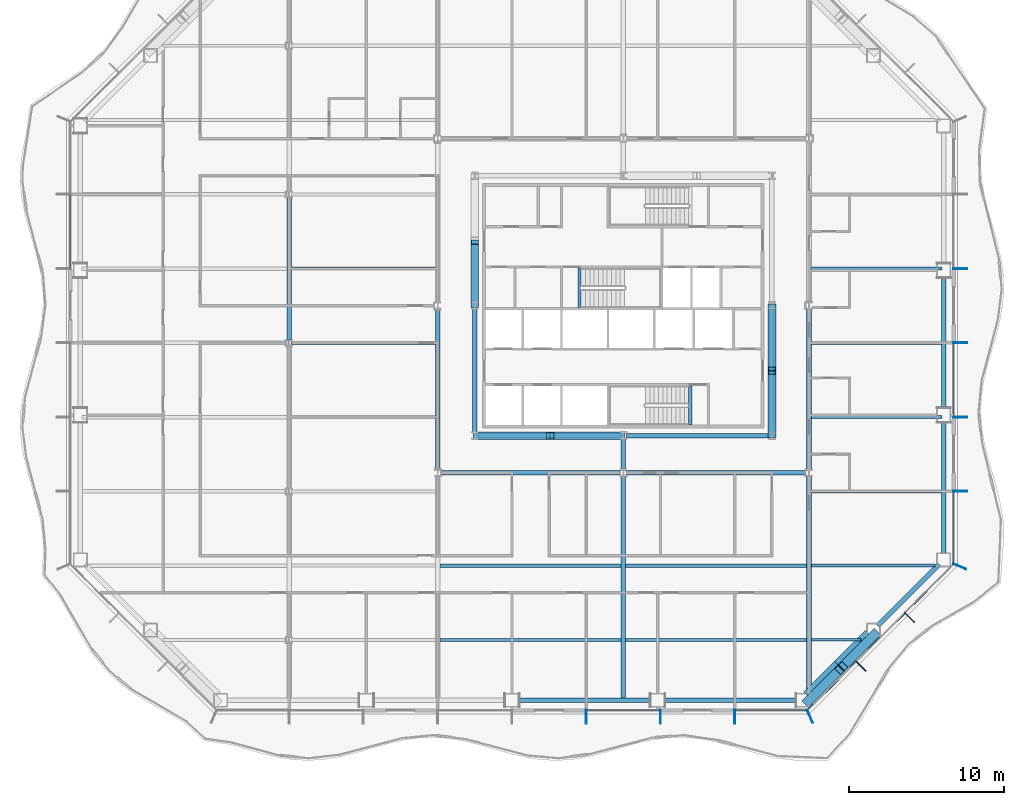
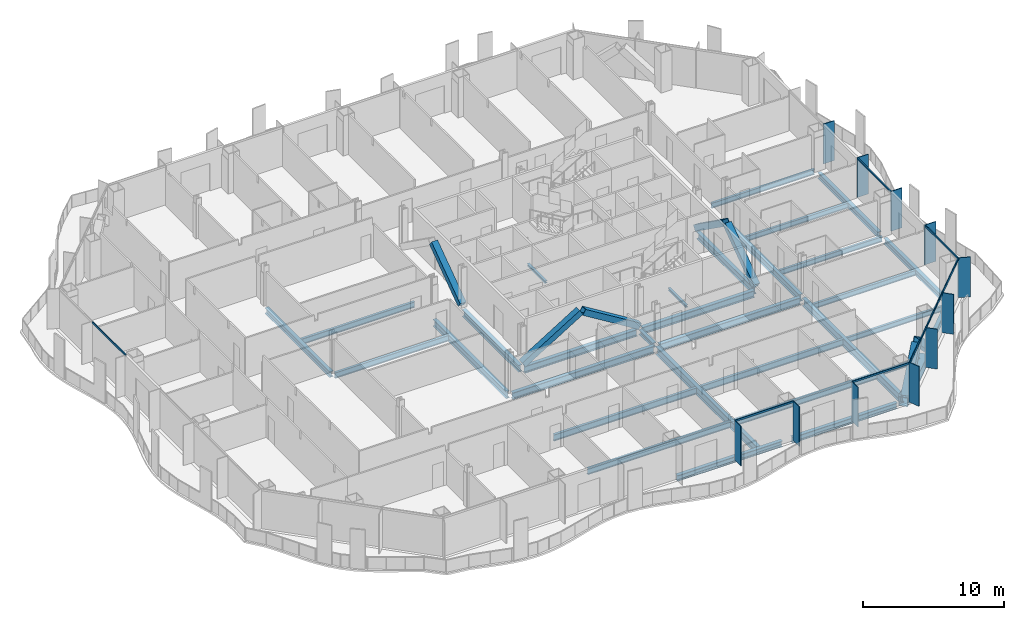
# One storey, part 2 of 21: 33 beams, 26 members, 4 elements without a shape of their own.
"""IFC4 building model written with IfcOpenShell, lengths in metres."""

from ifc_helpers import new_model, si_unit, direction, frame, origin, origin_2d, place, context, subcontext, project, spatial, rectangle, hollow_rectangle, i_section, extrude, material, material_profile, profile_set, type_object, element, aggregate, save


model = new_model("IFC4")

# Units and contexts
model_context = context("Model", 3, precision=1e-05, world=origin(), true_north=direction((0.0, 1.0)))
body_context = subcontext(model_context, "Body", "Model", "MODEL_VIEW")
ifc_project = project(units=[si_unit("LENGTHUNIT", "METRE"), si_unit("AREAUNIT", "SQUARE_METRE"), si_unit("VOLUMEUNIT", "CUBIC_METRE"), si_unit("PLANEANGLEUNIT", "RADIAN"), si_unit("MASSUNIT", "GRAM", prefix="KILO")], contexts=[model_context])

# Site, building, storey
site_placement = place(None, origin())
site = spatial("IfcSite", under=ifc_project, at=site_placement, CompositionType="ELEMENT")
building_placement = place(site_placement, origin())
building = spatial("IfcBuilding", under=site, at=building_placement, Name="Cairn Pilgrim Tower", CompositionType="ELEMENT")
storey_placement = place(building_placement, frame((0.0, 0.0, 69.0)))
storey = spatial("IfcBuildingStorey", under=building, at=storey_placement, Name="L15", CompositionType="ELEMENT", Elevation=69.0)

# Members
ifc_material_1 = material(Name="Structural steel S460M", Category="steel")
ifc_material_profile_1 = material_profile(ifc_material_1, hollow_rectangle(XDim=0.5, YDim=0.5, WallThickness=0.030029296875, at=origin_2d()), Name="BOX 500x500x30")
ifc_profile_set_1 = profile_set([ifc_material_profile_1], Name="Structural steel S460M")
member_type_1 = type_object("IfcMemberType", Name="BOX 500x500x30 BRACE", PredefinedType="BRACE", material=ifc_profile_set_1)
member_1_placement = place(storey_placement, frame((-2.356201171875, -6.0, 0.10009765625), z_axis=(0.85100996818, 0.0, 0.525149534951), x_axis=(0.0, 1.0, 0.0)))
element("IfcMember", 1, at=member_1_placement, inside=storey, type_object=member_type_1, Name="KB-1A", PredefinedType="BRACE", context=body_context, shape_type="SweptSolid", body=[
    extrude(hollow_rectangle(XDim=0.5, YDim=0.5, WallThickness=0.030029296875, at=origin_2d()), origin(), (0.0, 0.0, 1.0), 5.526123046875),
])
member_2_placement = place(storey_placement, frame((7.15625, -6.0, 0.10009765625), z_axis=(-0.851007515624, 0.0, 0.525153509321), x_axis=(0.0, -1.0, 0.0)))
element("IfcMember", 2, at=member_2_placement, inside=storey, type_object=member_type_1, Name="KB-1B", PredefinedType="BRACE", context=body_context, shape_type="SweptSolid", body=[
    extrude(hollow_rectangle(XDim=0.5, YDim=0.5, WallThickness=0.030029296875, at=origin_2d()), origin(), (0.0, 0.0, 1.0), 5.37646484375),
])
member_3_placement = place(storey_placement, frame((16.800048828125, -5.956298828125, 0.10009765625), z_axis=(0.0, 0.814198726233, 0.580586284889), x_axis=(-1.0, 0.0, 0.0)))
element("IfcMember", 3, at=member_3_placement, inside=storey, type_object=member_type_1, Name="KB-2A", PredefinedType="BRACE", context=body_context, shape_type="SweptSolid", body=[
    extrude(hollow_rectangle(XDim=0.5, YDim=0.5, WallThickness=0.030029296875, at=origin_2d()), origin(), (0.0, 0.0, 1.0), 4.99658203125),
])
member_4_placement = place(storey_placement, frame((16.800048828125, 2.356201171875, 0.10009765625), z_axis=(0.0, -0.814182254599, 0.580609383576), x_axis=(1.0, 0.0, 0.0)))
element("IfcMember", 4, at=member_4_placement, inside=storey, type_object=member_type_1, Name="KB-2B", PredefinedType="BRACE", context=body_context, shape_type="SweptSolid", body=[
    extrude(hollow_rectangle(XDim=0.5, YDim=0.5, WallThickness=0.030029296875, at=origin_2d()), origin(), (0.0, 0.0, 1.0), 4.996337890625),
])
member_5_placement = place(storey_placement, frame((-2.39990234375, 2.443603515625, 0.10009765625), z_axis=(0.0, 0.814198726233, 0.580586284889), x_axis=(-1.0, 0.0, 0.0)))
element("IfcMember", 5, at=member_5_placement, inside=storey, type_object=member_type_1, Name="KB-4B", PredefinedType="BRACE", context=body_context, shape_type="SweptSolid", body=[
    extrude(hollow_rectangle(XDim=0.5, YDim=0.5, WallThickness=0.030029296875, at=origin_2d()), origin(), (0.0, 0.0, 1.0), 4.99658203125),
])
ifc_material_profile_2 = material_profile(ifc_material_1, hollow_rectangle(XDim=0.60009765625, YDim=0.60009765625, WallThickness=0.034912109375, at=origin_2d()), Name="BOX 600x600x35")
ifc_profile_set_2 = profile_set([ifc_material_profile_2], Name="Structural steel S460M")
member_type_2 = type_object("IfcMemberType", Name="BOX 600x600x35 BRACE", PredefinedType="BRACE", material=ifc_profile_set_2)
for number, where, z_axis, x_axis, name in (
    (6, (19.078125, -23.2236328125, 0.14990234375), (0.52892212789, 0.52892212789, 0.663688756314), (-0.707106781187, 0.707106781187, 0.0), "XB-SE1-SE2-1"),
    (7, (23.4873046875, -18.814697265625, 0.14990234375), (-0.528939327604, -0.528877844478, 0.663710338426), (0.70706568108, -0.707147878904, 0.0), "XB-SE1-SE2-2"),
):
    element("IfcMember", number, at=place(storey_placement, frame(where, z_axis=z_axis, x_axis=x_axis)), inside=storey, type_object=member_type_2, Name=name, PredefinedType="BRACE", context=body_context, shape_type="SweptSolid", body=[
        extrude(hollow_rectangle(XDim=0.60009765625, YDim=0.60009765625, WallThickness=0.034912109375, at=origin_2d()), origin(), (0.0, 0.0, 1.0), 3.970947265625),
    ])

# Beams
ifc_material_2 = material(Name="Structural steel S355J2", Category="steel")
ifc_material_profile_3 = material_profile(ifc_material_2, hollow_rectangle(XDim=0.699951171875, YDim=0.800048828125, WallThickness=0.0400390625, at=origin_2d()), Name="BOX 700x800x40")
ifc_profile_set_3 = profile_set([ifc_material_profile_3], Name="Structural steel S355J2")
beam_type_1 = type_object("IfcBeamType", Name="BOX 700x800x40 RING GIRDER", PredefinedType="SPANDREL", material=ifc_profile_set_3)
beam_1_placement = place(storey_placement, frame((19.113525390625, -22.813720703125, -0.550048828125), z_axis=(0.707106781187, 0.707106781187, 0.0), x_axis=(-0.707106781187, 0.707106781187, 0.0)))
element("IfcBeam", 8, at=beam_1_placement, inside=storey, type_object=beam_type_1, Name="RG1-SE1-SE2-1", PredefinedType="SPANDREL", context=body_context, shape_type="SweptSolid", body=[
    extrude(hollow_rectangle(XDim=0.699951171875, YDim=0.800048828125, WallThickness=0.0400390625, at=origin_2d()), origin(), (0.0, 0.0, 1.0), 2.802978515625),
])
beam_2_placement = place(storey_placement, frame((21.095458984375, -20.831787109375, -0.550048828125), z_axis=(0.707106781187, 0.707106781187, 0.0), x_axis=(-0.707106781187, 0.707106781187, 0.0)))
element("IfcBeam", 9, at=beam_2_placement, inside=storey, type_object=beam_type_1, Name="RG1-SE1-SE2-2", PredefinedType="SPANDREL", context=body_context, shape_type="SweptSolid", body=[
    extrude(hollow_rectangle(XDim=0.699951171875, YDim=0.800048828125, WallThickness=0.0400390625, at=origin_2d()), origin(), (0.0, 0.0, 1.0), 2.802490234375),
])

# Curtain wall, members
ifc_material_3 = material(Name="Aluminium alloy 6063-T6 bronze anodised with Bronze tinted laminated low-E glass 8+16+8.8", Category="aluminium")
curtain_wall_type_1 = type_object("IfcCurtainWallType", Name="TOWER STICK CURTAIN WALL NS", PredefinedType="NOTDEFINED", material=ifc_material_3)
curtain_wall_1_placement = place(storey_placement, origin())
curtain_wall_1 = element("IfcCurtainWall", 10, at=curtain_wall_1_placement, inside=storey, type_object=curtain_wall_type_1, Name="Tower Stick Curtain Wall Ns S", PredefinedType="NOTDEFINED")
ifc_material_4 = material(Name="Aluminium alloy 6063-T6 bronze anodised", Category="aluminium")
ifc_material_profile_4 = material_profile(ifc_material_4, rectangle(XDim=0.89990234375, YDim=0.06005859375, at=origin_2d()), Name="FIN MULLION 60x900 BRONZE")
ifc_profile_set_4 = profile_set([ifc_material_profile_4], Name="Aluminium alloy 6063-T6 bronze anodised")
member_type_3 = type_object("IfcMemberType", Name="FIN MULLION 60x900 BRONZE", PredefinedType="MULLION", material=ifc_profile_set_4)
member_6_placement = place(storey_placement, frame((4.800048828125, -24.169921875, 0.0), z_axis=(0.0, 0.0, 1.0), x_axis=(0.0, -1.0, 0.0)))
member_6 = element("IfcMember", 11, at=member_6_placement, type_object=member_type_3, Name="Fin mullion S6", PredefinedType="MULLION", context=body_context, shape_type="SweptSolid", body=[
    extrude(rectangle(XDim=0.89990234375, YDim=0.06005859375, at=origin_2d()), origin(), (0.0, 0.0, 1.0), 3.449951171875),
])
member_7_placement = place(storey_placement, frame((9.60009765625, -24.169921875, 0.0), z_axis=(0.0, 0.0, 1.0), x_axis=(0.0, -1.0, 0.0)))
member_7 = element("IfcMember", 12, at=member_7_placement, type_object=member_type_3, Name="Fin mullion S7", PredefinedType="MULLION", context=body_context, shape_type="SweptSolid", body=[
    extrude(rectangle(XDim=0.89990234375, YDim=0.06005859375, at=origin_2d()), origin(), (0.0, 0.0, 1.0), 3.449951171875),
])
member_8_placement = place(storey_placement, frame((14.39990234375, -24.169921875, 0.0), z_axis=(0.0, 0.0, 1.0), x_axis=(0.0, -1.0, 0.0)))
member_8 = element("IfcMember", 13, at=member_8_placement, type_object=member_type_3, Name="Fin mullion S8", PredefinedType="MULLION", context=body_context, shape_type="SweptSolid", body=[
    extrude(rectangle(XDim=0.89990234375, YDim=0.06005859375, at=origin_2d()), origin(), (0.0, 0.0, 1.0), 3.449951171875),
])

curtain_wall_type_2 = type_object("IfcCurtainWallType", Name="CHAMFER CORNER CURTAIN WALL", PredefinedType="NOTDEFINED", material=ifc_material_3)
curtain_wall_2_placement = place(storey_placement, origin())
curtain_wall_2 = element("IfcCurtainWall", 14, at=curtain_wall_2_placement, inside=storey, type_object=curtain_wall_type_2, Name="Chamfer Corner Curtain Wall SE", PredefinedType="NOTDEFINED")
member_9_placement = place(storey_placement, frame((19.257080078125, -24.137939453125, 0.0), z_axis=(0.0, 0.0, 1.0), x_axis=(0.382683432365, -0.923879532511, 0.0)))
member_9 = element("IfcMember", 15, at=member_9_placement, type_object=member_type_3, Name="Fin mullion SE1", PredefinedType="MULLION", context=body_context, shape_type="SweptSolid", body=[
    extrude(rectangle(XDim=0.89990234375, YDim=0.06005859375, at=origin_2d()), origin(), (0.0, 0.0, 1.0), 3.449951171875),
])
member_10_placement = place(storey_placement, frame((22.544677734375, -20.895751953125, 0.0), z_axis=(0.0, 0.0, 1.0), x_axis=(0.707106781187, -0.707106781187, 0.0)))
member_10 = element("IfcMember", 16, at=member_10_placement, type_object=member_type_3, Name="Fin mullion SE2", PredefinedType="MULLION", context=body_context, shape_type="SweptSolid", body=[
    extrude(rectangle(XDim=0.89990234375, YDim=0.06005859375, at=origin_2d()), origin(), (0.0, 0.0, 1.0), 3.449951171875),
])
member_11_placement = place(storey_placement, frame((25.69580078125, -17.74462890625, 0.0), z_axis=(0.0, 0.0, 1.0), x_axis=(0.707106781187, -0.707106781187, 0.0)))
member_11 = element("IfcMember", 17, at=member_11_placement, type_object=member_type_3, Name="Fin mullion SE3", PredefinedType="MULLION", context=body_context, shape_type="SweptSolid", body=[
    extrude(rectangle(XDim=0.89990234375, YDim=0.06005859375, at=origin_2d()), origin(), (0.0, 0.0, 1.0), 3.449951171875),
])

curtain_wall_type_3 = type_object("IfcCurtainWallType", Name="TOWER STICK CURTAIN WALL EW", PredefinedType="NOTDEFINED", material=ifc_material_3)
curtain_wall_3_placement = place(storey_placement, origin())
curtain_wall_3 = element("IfcCurtainWall", 18, at=curtain_wall_3_placement, inside=storey, type_object=curtain_wall_type_3, Name="Tower Stick Curtain Wall Ew E", PredefinedType="NOTDEFINED")
member_12_placement = place(storey_placement, frame((28.93798828125, -14.457275390625, 0.0), z_axis=(0.0, 0.0, 1.0), x_axis=(0.923879532511, -0.382683432365, 0.0)))
member_12 = element("IfcMember", 19, at=member_12_placement, type_object=member_type_3, Name="Fin mullion E1", PredefinedType="MULLION", context=body_context, shape_type="SweptSolid", body=[
    extrude(rectangle(XDim=0.89990234375, YDim=0.06005859375, at=origin_2d()), origin(), (0.0, 0.0, 1.0), 3.449951171875),
])
member_13_placement = place(storey_placement, frame((28.969970703125, -9.60009765625, 0.0), z_axis=(0.0, 0.0, 1.0), x_axis=(1.0, 0.0, 0.0)))
member_13 = element("IfcMember", 20, at=member_13_placement, type_object=member_type_3, Name="Fin mullion E2", PredefinedType="MULLION", context=body_context, shape_type="SweptSolid", body=[
    extrude(rectangle(XDim=0.89990234375, YDim=0.06005859375, at=origin_2d()), origin(), (0.0, 0.0, 1.0), 3.449951171875),
])
member_14_placement = place(storey_placement, frame((28.969970703125, -4.800048828125, 0.0), z_axis=(0.0, 0.0, 1.0), x_axis=(1.0, 0.0, 0.0)))
member_14 = element("IfcMember", 21, at=member_14_placement, type_object=member_type_3, Name="Fin mullion E3", PredefinedType="MULLION", context=body_context, shape_type="SweptSolid", body=[
    extrude(rectangle(XDim=0.89990234375, YDim=0.06005859375, at=origin_2d()), origin(), (0.0, 0.0, 1.0), 3.449951171875),
])
member_15_placement = place(storey_placement, frame((28.969970703125, 0.0, 0.0), z_axis=(0.0, 0.0, 1.0), x_axis=(1.0, 0.0, 0.0)))
member_15 = element("IfcMember", 22, at=member_15_placement, type_object=member_type_3, Name="Fin mullion E4", PredefinedType="MULLION", context=body_context, shape_type="SweptSolid", body=[
    extrude(rectangle(XDim=0.89990234375, YDim=0.06005859375, at=origin_2d()), origin(), (0.0, 0.0, 1.0), 3.449951171875),
])
member_16_placement = place(storey_placement, frame((28.969970703125, 4.800048828125, 0.0), z_axis=(0.0, 0.0, 1.0), x_axis=(1.0, 0.0, 0.0)))
member_16 = element("IfcMember", 23, at=member_16_placement, type_object=member_type_3, Name="Fin mullion E5", PredefinedType="MULLION", context=body_context, shape_type="SweptSolid", body=[
    extrude(rectangle(XDim=0.89990234375, YDim=0.06005859375, at=origin_2d()), origin(), (0.0, 0.0, 1.0), 3.449951171875),
])

# Beams
ifc_material_profile_5 = material_profile(ifc_material_2, i_section(OverallWidth=0.300048828125, OverallDepth=0.39990234375, WebThickness=0.013427734375, FlangeThickness=0.02392578125, FilletRadius=0.027099609375, at=origin_2d()), Name="HEB 400")
ifc_profile_set_5 = profile_set([ifc_material_profile_5], Name="Structural steel S355J2")
beam_type_2 = type_object("IfcBeamType", Name="HEB 400 GIRDER", PredefinedType="BEAM", material=ifc_profile_set_5)
beam_3_placement = place(storey_placement, frame((7.199951171875, -8.18798828125, -0.35009765625), z_axis=(0.0, 1.0, 0.0), x_axis=(-1.0, 0.0, 0.0)))
element("IfcBeam", 24, at=beam_3_placement, inside=storey, type_object=beam_type_2, Name="PG3-E1", PredefinedType="BEAM", context=body_context, shape_type="SweptSolid", body=[
    extrude(i_section(OverallWidth=0.300048828125, OverallDepth=0.39990234375, WebThickness=0.013427734375, FlangeThickness=0.02392578125, FilletRadius=0.027099609375, at=origin_2d()), origin(), (0.0, 0.0, 1.0), 1.969482421875),
])
ifc_material_profile_6 = material_profile(ifc_material_2, i_section(OverallWidth=0.300048828125, OverallDepth=0.5, WebThickness=0.014404296875, FlangeThickness=0.028076171875, FilletRadius=0.027099609375, at=origin_2d()), Name="HEB 500")
ifc_profile_set_6 = profile_set([ifc_material_profile_6], Name="Structural steel S355J2")
beam_type_3 = type_object("IfcBeamType", Name="HEB 500 GIRDER", PredefinedType="BEAM", material=ifc_profile_set_6)
beam_4_placement = place(storey_placement, frame((-14.39990234375, 0.20458984375, -0.39990234375), z_axis=(0.0, 1.0, 0.0), x_axis=(-1.0, 0.0, 0.0)))
element("IfcBeam", 25, at=beam_4_placement, inside=storey, type_object=beam_type_3, Name="PG1-4", PredefinedType="BEAM", context=body_context, shape_type="SweptSolid", body=[
    extrude(i_section(OverallWidth=0.300048828125, OverallDepth=0.5, WebThickness=0.014404296875, FlangeThickness=0.028076171875, FilletRadius=0.027099609375, at=origin_2d()), origin(), (0.0, 0.0, 1.0), 9.19091796875),
])
ifc_material_profile_7 = material_profile(ifc_material_2, i_section(OverallWidth=0.300048828125, OverallDepth=0.5, WebThickness=0.014404296875, FlangeThickness=0.028076171875, FilletRadius=0.027099609375, at=origin_2d()), Name="HEB 500")
ifc_profile_set_7 = profile_set([ifc_material_profile_7], Name="Structural steel S355J2")
beam_type_4 = type_object("IfcBeamType", Name="HEB 500 RING GIRDER", PredefinedType="SPANDREL", material=ifc_profile_set_7)
for number, where, z_axis, x_axis, name in (
    (26, (0.405029296875, -23.10009765625, -0.39990234375), (1.0, 0.0, 0.0), (0.0, 1.0, 0.0), "RG1-S3-S4"),
    (27, (9.818603515625, -23.10009765625, -0.39990234375), (1.0, 0.0, 0.0), (0.0, 1.0, 0.0), "RG1-S4-SE1"),
):
    element("IfcBeam", number, at=place(storey_placement, frame(where, z_axis=z_axis, x_axis=x_axis)), inside=storey, type_object=beam_type_4, Name=name, PredefinedType="SPANDREL", context=body_context, shape_type="SweptSolid", body=[
        extrude(i_section(OverallWidth=0.300048828125, OverallDepth=0.5, WebThickness=0.014404296875, FlangeThickness=0.028076171875, FilletRadius=0.027099609375, at=origin_2d()), origin(), (0.0, 0.0, 1.0), 8.603515625),
    ])
beam_5_placement = place(storey_placement, frame((23.64990234375, -18.277099609375, -0.39990234375), z_axis=(0.707128558756, 0.707085002947, 0.0), x_axis=(-0.707085002947, 0.707128558756, 0.0)))
element("IfcBeam", 28, at=beam_5_placement, inside=storey, type_object=beam_type_4, Name="RG1-SE2-E1", PredefinedType="SPANDREL", context=body_context, shape_type="SweptSolid", body=[
    extrude(i_section(OverallWidth=0.300048828125, OverallDepth=0.5, WebThickness=0.014404296875, FlangeThickness=0.028076171875, FilletRadius=0.027099609375, at=origin_2d()), origin(), (0.0, 0.0, 1.0), 5.605224609375),
])
for number, where, z_axis, x_axis, name in (
    (29, (27.89990234375, -13.622314453125, -0.39990234375), (0.0, 1.0, 0.0), (-1.0, 0.0, 0.0), "RG1-E1-E2"),
    (30, (27.89990234375, -4.270751953125, -0.39990234375), (0.0, 1.0, 0.0), (-1.0, 0.0, 0.0), "RG1-E2-E3"),
):
    element("IfcBeam", number, at=place(storey_placement, frame(where, z_axis=z_axis, x_axis=x_axis)), inside=storey, type_object=beam_type_4, Name=name, PredefinedType="SPANDREL", context=body_context, shape_type="SweptSolid", body=[
        extrude(i_section(OverallWidth=0.300048828125, OverallDepth=0.5, WebThickness=0.014404296875, FlangeThickness=0.028076171875, FilletRadius=0.027099609375, at=origin_2d()), origin(), (0.0, 0.0, 1.0), 8.54150390625),
    ])
ifc_material_profile_8 = material_profile(ifc_material_2, i_section(OverallWidth=0.300048828125, OverallDepth=0.60009765625, WebThickness=0.015380859375, FlangeThickness=0.030029296875, FilletRadius=0.027099609375, at=origin_2d()), Name="HEB 600")
ifc_profile_set_8 = profile_set([ifc_material_profile_8], Name="Structural steel S355J2")
beam_type_5 = type_object("IfcBeamType", Name="HEB 600 CORE BEAM", PredefinedType="BEAM", material=ifc_profile_set_8)
beam_6_placement = place(storey_placement, frame((-2.203369140625, -6.0, -0.449951171875), z_axis=(1.0, 0.0, 0.0), x_axis=(0.0, 1.0, 0.0)))
element("IfcBeam", 31, at=beam_6_placement, inside=storey, type_object=beam_type_5, Name="CB-1", PredefinedType="BEAM", context=body_context, shape_type="SweptSolid", body=[
    extrude(i_section(OverallWidth=0.300048828125, OverallDepth=0.60009765625, WebThickness=0.015380859375, FlangeThickness=0.030029296875, FilletRadius=0.027099609375, at=origin_2d()), origin(), (0.0, 0.0, 1.0), 9.206787109375),
])
beam_7_placement = place(storey_placement, frame((7.396728515625, -6.0, -0.449951171875), z_axis=(1.0, 0.0, 0.0), x_axis=(0.0, 1.0, 0.0)))
element("IfcBeam", 32, at=beam_7_placement, inside=storey, type_object=beam_type_5, Name="CB-2", PredefinedType="BEAM", context=body_context, shape_type="SweptSolid", body=[
    extrude(i_section(OverallWidth=0.300048828125, OverallDepth=0.60009765625, WebThickness=0.015380859375, FlangeThickness=0.030029296875, FilletRadius=0.027099609375, at=origin_2d()), origin(), (0.0, 0.0, 1.0), 9.20654296875),
])
for number, where, z_axis, x_axis, name in (
    (33, (16.800048828125, -5.803466796875, -0.449951171875), (0.0, 1.0, 0.0), (-1.0, 0.0, 0.0), "CB-3"),
    (34, (-2.39990234375, 2.203369140625, -0.449951171875), (0.0, -1.0, 0.0), (1.0, 0.0, 0.0), "CB-8"),
):
    element("IfcBeam", number, at=place(storey_placement, frame(where, z_axis=z_axis, x_axis=x_axis)), inside=storey, type_object=beam_type_5, Name=name, PredefinedType="BEAM", context=body_context, shape_type="SweptSolid", body=[
        extrude(i_section(OverallWidth=0.300048828125, OverallDepth=0.60009765625, WebThickness=0.015380859375, FlangeThickness=0.030029296875, FilletRadius=0.027099609375, at=origin_2d()), origin(), (0.0, 0.0, 1.0), 8.0068359375),
    ])
ifc_material_profile_9 = material_profile(ifc_material_2, i_section(OverallWidth=0.300048828125, OverallDepth=0.60009765625, WebThickness=0.015380859375, FlangeThickness=0.030029296875, FilletRadius=0.027099609375, at=origin_2d()), Name="HEB 600")
ifc_profile_set_9 = profile_set([ifc_material_profile_9], Name="Structural steel S355J2")
beam_type_6 = type_object("IfcBeamType", Name="HEB 600 GIRDER", PredefinedType="BEAM", material=ifc_profile_set_9)
for number, where, z_axis, x_axis, name in (
    (35, (-4.800048828125, -8.18798828125, -0.449951171875), (0.0, 1.0, 0.0), (-1.0, 0.0, 0.0), "PG2-2"),
    (36, (19.199951171875, -8.18798828125, -0.449951171875), (0.0, 1.0, 0.0), (-1.0, 0.0, 0.0), "PG4-2"),
):
    element("IfcBeam", number, at=place(storey_placement, frame(where, z_axis=z_axis, x_axis=x_axis)), inside=storey, type_object=beam_type_6, Name=name, PredefinedType="BEAM", context=body_context, shape_type="SweptSolid", body=[
        extrude(i_section(OverallWidth=0.300048828125, OverallDepth=0.60009765625, WebThickness=0.015380859375, FlangeThickness=0.030029296875, FilletRadius=0.027099609375, at=origin_2d()), origin(), (0.0, 0.0, 1.0), 10.3759765625),
    ])
ifc_material_profile_10 = material_profile(ifc_material_2, i_section(OverallWidth=0.300048828125, OverallDepth=0.60009765625, WebThickness=0.015380859375, FlangeThickness=0.030029296875, FilletRadius=0.027099609375, at=origin_2d()), Name="HEB 600")
ifc_profile_set_10 = profile_set([ifc_material_profile_10], Name="Structural steel S355J2")
beam_type_7 = type_object("IfcBeamType", Name="HEB 600 INNER GIRDER", PredefinedType="BEAM", material=ifc_profile_set_10)
for number, where, z_axis, x_axis, name in (
    (37, (-4.587890625, -8.39990234375, -0.449951171875), (1.0, 0.0, 0.0), (0.0, 1.0, 0.0), "IG1-1"),
    (38, (7.412109375, -8.39990234375, -0.449951171875), (1.0, 0.0, 0.0), (0.0, 1.0, 0.0), "IG1-2"),
):
    element("IfcBeam", number, at=place(storey_placement, frame(where, z_axis=z_axis, x_axis=x_axis)), inside=storey, type_object=beam_type_7, Name=name, PredefinedType="BEAM", context=body_context, shape_type="SweptSolid", body=[
        extrude(i_section(OverallWidth=0.300048828125, OverallDepth=0.60009765625, WebThickness=0.015380859375, FlangeThickness=0.030029296875, FilletRadius=0.027099609375, at=origin_2d()), origin(), (0.0, 0.0, 1.0), 11.575927734375),
    ])
ifc_material_profile_11 = material_profile(ifc_material_2, i_section(OverallWidth=0.300048828125, OverallDepth=0.699951171875, WebThickness=0.01708984375, FlangeThickness=0.031982421875, FilletRadius=0.027099609375, at=origin_2d()), Name="HEB 700")
ifc_profile_set_11 = profile_set([ifc_material_profile_11], Name="Structural steel S355J2")
beam_type_8 = type_object("IfcBeamType", Name="HEB 700 GIRDER", PredefinedType="BEAM", material=ifc_profile_set_11)
beam_8_placement = place(storey_placement, frame((7.199951171875, -22.97998046875, -0.5), z_axis=(0.0, 1.0, 0.0), x_axis=(-1.0, 0.0, 0.0)))
element("IfcBeam", 39, at=beam_8_placement, inside=storey, type_object=beam_type_8, Name="PG3-1", PredefinedType="BEAM", context=body_context, shape_type="SweptSolid", body=[
    extrude(i_section(OverallWidth=0.300048828125, OverallDepth=0.699951171875, WebThickness=0.01708984375, FlangeThickness=0.031982421875, FilletRadius=0.027099609375, at=origin_2d()), origin(), (0.0, 0.0, 1.0), 14.367919921875),
])
beam_9_placement = place(storey_placement, frame((19.199951171875, -22.545166015625, -0.5), z_axis=(0.0, 1.0, 0.0), x_axis=(-1.0, 0.0, 0.0)))
element("IfcBeam", 40, at=beam_9_placement, inside=storey, type_object=beam_type_8, Name="PG4-1", PredefinedType="BEAM", context=body_context, shape_type="SweptSolid", body=[
    extrude(i_section(OverallWidth=0.300048828125, OverallDepth=0.699951171875, WebThickness=0.01708984375, FlangeThickness=0.031982421875, FilletRadius=0.027099609375, at=origin_2d()), origin(), (0.0, 0.0, 1.0), 13.93310546875),
])
ifc_material_profile_12 = material_profile(ifc_material_2, i_section(OverallWidth=0.169921875, OverallDepth=0.360107421875, WebThickness=0.008056640625, FlangeThickness=0.0126953125, FilletRadius=0.01806640625, at=origin_2d()), Name="IPE 360")
ifc_profile_set_12 = profile_set([ifc_material_profile_12], Name="Structural steel S355J2")
beam_type_9 = type_object("IfcBeamType", Name="IPE 360 SECONDARY BEAM", PredefinedType="JOIST", material=ifc_profile_set_12)
beam_10_placement = place(storey_placement, frame((19.35009765625, -19.199951171875, -0.330078125), z_axis=(1.0, 0.0, 0.0), x_axis=(0.0, 1.0, 0.0)))
element("IfcBeam", 41, at=beam_10_placement, inside=storey, type_object=beam_type_9, Name="SB1-5", PredefinedType="JOIST", context=body_context, shape_type="SweptSolid", body=[
    extrude(i_section(OverallWidth=0.169921875, OverallDepth=0.360107421875, WebThickness=0.008056640625, FlangeThickness=0.0126953125, FilletRadius=0.01806640625, at=origin_2d()), origin(), (0.0, 0.0, 1.0), 3.195068359375),
])
ifc_material_profile_13 = material_profile(ifc_material_2, i_section(OverallWidth=0.18994140625, OverallDepth=0.449951171875, WebThickness=0.009521484375, FlangeThickness=0.0146484375, FilletRadius=0.02099609375, at=origin_2d()), Name="IPE 450")
ifc_profile_set_13 = profile_set([ifc_material_profile_13], Name="Structural steel S355J2")
beam_type_10 = type_object("IfcBeamType", Name="IPE 450 SECONDARY BEAM", PredefinedType="JOIST", material=ifc_profile_set_13)
beam_11_placement = place(storey_placement, frame((19.35009765625, -14.39990234375, -0.375), z_axis=(1.0, 0.0, 0.0), x_axis=(0.0, 1.0, 0.0)))
element("IfcBeam", 42, at=beam_11_placement, inside=storey, type_object=beam_type_10, Name="SB2-5", PredefinedType="JOIST", context=body_context, shape_type="SweptSolid", body=[
    extrude(i_section(OverallWidth=0.18994140625, OverallDepth=0.449951171875, WebThickness=0.009521484375, FlangeThickness=0.0146484375, FilletRadius=0.02099609375, at=origin_2d()), origin(), (0.0, 0.0, 1.0), 7.9951171875),
])
for number, where, z_axis, x_axis, name in (
    (43, (19.35009765625, -9.60009765625, -0.375), (1.0, 0.0, 0.0), (0.0, 1.0, 0.0), "SB3-3"),
    (44, (19.35009765625, -4.800048828125, -0.375), (1.0, 0.0, 0.0), (0.0, 1.0, 0.0), "SB4-3"),
    (45, (19.35009765625, 0.0, -0.375), (1.0, 0.0, 0.0), (0.0, 1.0, 0.0), "SB5-3"),
    (46, (19.35009765625, 4.800048828125, -0.375), (1.0, 0.0, 0.0), (0.0, 1.0, 0.0), "SB6-3"),
):
    element("IfcBeam", number, at=place(storey_placement, frame(where, z_axis=z_axis, x_axis=x_axis)), inside=storey, type_object=beam_type_10, Name=name, PredefinedType="JOIST", context=body_context, shape_type="SweptSolid", body=[
        extrude(i_section(OverallWidth=0.18994140625, OverallDepth=0.449951171875, WebThickness=0.009521484375, FlangeThickness=0.0146484375, FilletRadius=0.02099609375, at=origin_2d()), origin(), (0.0, 0.0, 1.0), 8.429931640625),
    ])
ifc_material_profile_14 = material_profile(ifc_material_2, i_section(OverallWidth=0.199951171875, OverallDepth=0.5, WebThickness=0.01025390625, FlangeThickness=0.01611328125, FilletRadius=0.02099609375, at=origin_2d()), Name="IPE 500")
ifc_profile_set_14 = profile_set([ifc_material_profile_14], Name="Structural steel S355J2")
beam_type_11 = type_object("IfcBeamType", Name="IPE 500 SECONDARY BEAM", PredefinedType="JOIST", material=ifc_profile_set_14)
for number, where, z_axis, x_axis, name in (
    (47, (-14.25, 0.0, -0.39990234375), (1.0, 0.0, 0.0), (0.0, 1.0, 0.0), "SB5-2"),
    (48, (-14.25, 4.800048828125, -0.39990234375), (1.0, 0.0, 0.0), (0.0, 1.0, 0.0), "SB6-2"),
):
    element("IfcBeam", number, at=place(storey_placement, frame(where, z_axis=z_axis, x_axis=x_axis)), inside=storey, type_object=beam_type_11, Name=name, PredefinedType="JOIST", context=body_context, shape_type="SweptSolid", body=[
        extrude(i_section(OverallWidth=0.199951171875, OverallDepth=0.5, WebThickness=0.01025390625, FlangeThickness=0.01611328125, FilletRadius=0.02099609375, at=origin_2d()), origin(), (0.0, 0.0, 1.0), 9.300048828125),
    ])
ifc_material_profile_15 = material_profile(ifc_material_2, i_section(OverallWidth=0.2099609375, OverallDepth=0.550048828125, WebThickness=0.010986328125, FlangeThickness=0.01708984375, FilletRadius=0.02392578125, at=origin_2d()), Name="IPE 550")
ifc_profile_set_15 = profile_set([ifc_material_profile_15], Name="Structural steel S355J2")
beam_type_12 = type_object("IfcBeamType", Name="IPE 550 SECONDARY BEAM", PredefinedType="JOIST", material=ifc_profile_set_15)
for number, where, z_axis, x_axis, name in (
    (49, (-4.64990234375, -19.199951171875, -0.425048828125), (1.0, 0.0, 0.0), (0.0, 1.0, 0.0), "SB1-3"),
    (50, (7.35009765625, -19.199951171875, -0.425048828125), (1.0, 0.0, 0.0), (0.0, 1.0, 0.0), "SB1-4"),
    (51, (-4.64990234375, -14.39990234375, -0.425048828125), (1.0, 0.0, 0.0), (0.0, 1.0, 0.0), "SB2-3"),
    (52, (7.35009765625, -14.39990234375, -0.425048828125), (1.0, 0.0, 0.0), (0.0, 1.0, 0.0), "SB2-4"),
):
    element("IfcBeam", number, at=place(storey_placement, frame(where, z_axis=z_axis, x_axis=x_axis)), inside=storey, type_object=beam_type_12, Name=name, PredefinedType="JOIST", context=body_context, shape_type="SweptSolid", body=[
        extrude(i_section(OverallWidth=0.2099609375, OverallDepth=0.550048828125, WebThickness=0.010986328125, FlangeThickness=0.01708984375, FilletRadius=0.02392578125, at=origin_2d()), origin(), (0.0, 0.0, 1.0), 11.699951171875),
    ])
ifc_material_profile_16 = material_profile(ifc_material_2, i_section(OverallWidth=0.199951171875, OverallDepth=0.199951171875, WebThickness=0.009033203125, FlangeThickness=0.014892578125, FilletRadius=0.01806640625, at=origin_2d()), Name="HE 200 B")
ifc_profile_set_16 = profile_set([ifc_material_profile_16], Name="Structural steel S355J2")
beam_type_13 = type_object("IfcBeamType", Name="STAIR LANDING BEAM HE 200 B", PredefinedType="BEAM", material=ifc_profile_set_16)
beam_12_placement = place(storey_placement, frame((11.5244140625, -2.77490234375, -0.25), z_axis=(0.0, -1.0, 0.0), x_axis=(1.0, 0.0, 0.0)))
element("IfcBeam", 53, at=beam_12_placement, inside=storey, type_object=beam_type_13, Name="STAIR LANDING BEAM LD-HE200B", PredefinedType="BEAM", context=body_context, shape_type="SweptSolid", body=[
    extrude(i_section(OverallWidth=0.199951171875, OverallDepth=0.199951171875, WebThickness=0.009033203125, FlangeThickness=0.014892578125, FilletRadius=0.01806640625, at=origin_2d()), origin(), (0.0, 0.0, 1.0), 2.525146484375),
])
beam_13_placement = place(storey_placement, frame((4.37548828125, 2.27490234375, -0.25), z_axis=(0.0, 1.0, 0.0), x_axis=(-1.0, 0.0, 0.0)))
element("IfcBeam", 54, at=beam_13_placement, inside=storey, type_object=beam_type_13, Name="STAIR LANDING BEAM LD-HE200B", PredefinedType="BEAM", context=body_context, shape_type="SweptSolid", body=[
    extrude(i_section(OverallWidth=0.199951171875, OverallDepth=0.199951171875, WebThickness=0.009033203125, FlangeThickness=0.014892578125, FilletRadius=0.01806640625, at=origin_2d()), origin(), (0.0, 0.0, 1.0), 2.550048828125),
])

# Member
ifc_material_profile_17 = material_profile(ifc_material_4, rectangle(XDim=0.080078125, YDim=0.14990234375, at=origin_2d()), Name="TRANSOM 80x150 BRONZE")
ifc_profile_set_17 = profile_set([ifc_material_profile_17], Name="Aluminium alloy 6063-T6 bronze anodised")
member_type_4 = type_object("IfcMemberType", Name="TRANSOM 80x150 BRONZE", PredefinedType="USERDEFINED", material=ifc_profile_set_17)
member_17_placement = place(storey_placement, frame((4.830078125, -23.75, 3.375), z_axis=(1.0, 0.0, 0.0), x_axis=(0.0, 1.0, 0.0)))
member_17 = element("IfcMember", 55, at=member_17_placement, type_object=member_type_4, Name="Transom S6", ObjectType="TRANSOM", PredefinedType="USERDEFINED", context=body_context, shape_type="SweptSolid", body=[
    extrude(rectangle(XDim=0.080078125, YDim=0.14990234375, at=origin_2d()), origin(), (0.0, 0.0, 1.0), 4.739990234375),
])

member_18_placement = place(storey_placement, frame((14.429931640625, -23.75, 3.375), z_axis=(1.0, 0.0, 0.0), x_axis=(0.0, 1.0, 0.0)))
member_18 = element("IfcMember", 56, at=member_18_placement, type_object=member_type_4, Name="Transom S8", ObjectType="TRANSOM", PredefinedType="USERDEFINED", context=body_context, shape_type="SweptSolid", body=[
    extrude(rectangle(XDim=0.080078125, YDim=0.14990234375, at=origin_2d()), origin(), (0.0, 0.0, 1.0), 4.62646484375),
])

aggregate(curtain_wall_1, [member_6, member_7, member_8, member_17, member_18])

member_19_placement = place(storey_placement, frame((19.124755859375, -23.7216796875, 3.375), z_axis=(0.707106781187, 0.707106781187, 0.0), x_axis=(-0.707106781187, 0.707106781187, 0.0)))
member_19 = element("IfcMember", 57, at=member_19_placement, type_object=member_type_4, Name="Transom SE1", ObjectType="TRANSOM", PredefinedType="USERDEFINED", context=body_context, shape_type="SweptSolid", body=[
    extrude(rectangle(XDim=0.080078125, YDim=0.14990234375, at=origin_2d()), origin(), (0.0, 0.0, 1.0), 4.38623046875),
])

member_20_placement = place(storey_placement, frame((22.268798828125, -20.57763671875, 3.375), z_axis=(0.707106781187, 0.707106781187, 0.0), x_axis=(-0.707106781187, 0.707106781187, 0.0)))
member_20 = element("IfcMember", 58, at=member_20_placement, type_object=member_type_4, Name="Transom SE2", ObjectType="TRANSOM", PredefinedType="USERDEFINED", context=body_context, shape_type="SweptSolid", body=[
    extrude(rectangle(XDim=0.080078125, YDim=0.14990234375, at=origin_2d()), origin(), (0.0, 0.0, 1.0), 4.396728515625),
])

member_21_placement = place(storey_placement, frame((25.419921875, -17.426513671875, 3.375), z_axis=(0.707106781187, 0.707106781187, 0.0), x_axis=(-0.707106781187, 0.707106781187, 0.0)))
member_21 = element("IfcMember", 59, at=member_21_placement, type_object=member_type_4, Name="Transom SE3", ObjectType="TRANSOM", PredefinedType="USERDEFINED", context=body_context, shape_type="SweptSolid", body=[
    extrude(rectangle(XDim=0.080078125, YDim=0.14990234375, at=origin_2d()), origin(), (0.0, 0.0, 1.0), 4.38671875),
])

aggregate(curtain_wall_2, [member_9, member_10, member_11, member_19, member_20, member_21])

member_22_placement = place(storey_placement, frame((28.550048828125, -14.25634765625, 3.375), z_axis=(0.0, 1.0, 0.0), x_axis=(-1.0, 0.0, 0.0)))
member_22 = element("IfcMember", 60, at=member_22_placement, type_object=member_type_4, Name="Transom E1", ObjectType="TRANSOM", PredefinedType="USERDEFINED", context=body_context, shape_type="SweptSolid", body=[
    extrude(rectangle(XDim=0.080078125, YDim=0.14990234375, at=origin_2d()), origin(), (0.0, 0.0, 1.0), 4.62646484375),
])

member_23_placement = place(storey_placement, frame((28.550048828125, -4.77001953125, 3.375), z_axis=(0.0, 1.0, 0.0), x_axis=(-1.0, 0.0, 0.0)))
member_23 = element("IfcMember", 61, at=member_23_placement, type_object=member_type_4, Name="Transom E3", ObjectType="TRANSOM", PredefinedType="USERDEFINED", context=body_context, shape_type="SweptSolid", body=[
    extrude(rectangle(XDim=0.080078125, YDim=0.14990234375, at=origin_2d()), origin(), (0.0, 0.0, 1.0), 4.739990234375),
])

aggregate(curtain_wall_3, [member_12, member_13, member_14, member_15, member_16, member_22, member_23])

# Curtain wall, member
curtain_wall_4_placement = place(storey_placement, origin())
curtain_wall_4 = element("IfcCurtainWall", 62, at=curtain_wall_4_placement, inside=storey, type_object=curtain_wall_type_3, Name="Tower Stick Curtain Wall Ew W", PredefinedType="NOTDEFINED")
member_24_placement = place(storey_placement, frame((-28.550048828125, 9.570068359375, 3.375), z_axis=(0.0, -1.0, 0.0), x_axis=(1.0, 0.0, 0.0)))
member_24 = element("IfcMember", 63, at=member_24_placement, type_object=member_type_4, Name="Transom W2", ObjectType="TRANSOM", PredefinedType="USERDEFINED", context=body_context, shape_type="SweptSolid", body=[
    extrude(rectangle(XDim=0.080078125, YDim=0.14990234375, at=origin_2d()), origin(), (0.0, 0.0, 1.0), 4.739990234375),
])
aggregate(curtain_wall_4, [member_24])

save(model, "model.ifc")
